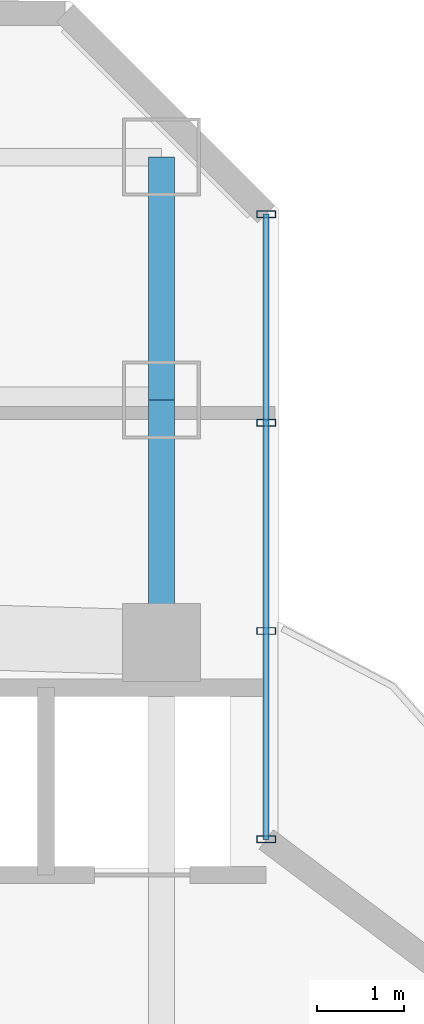
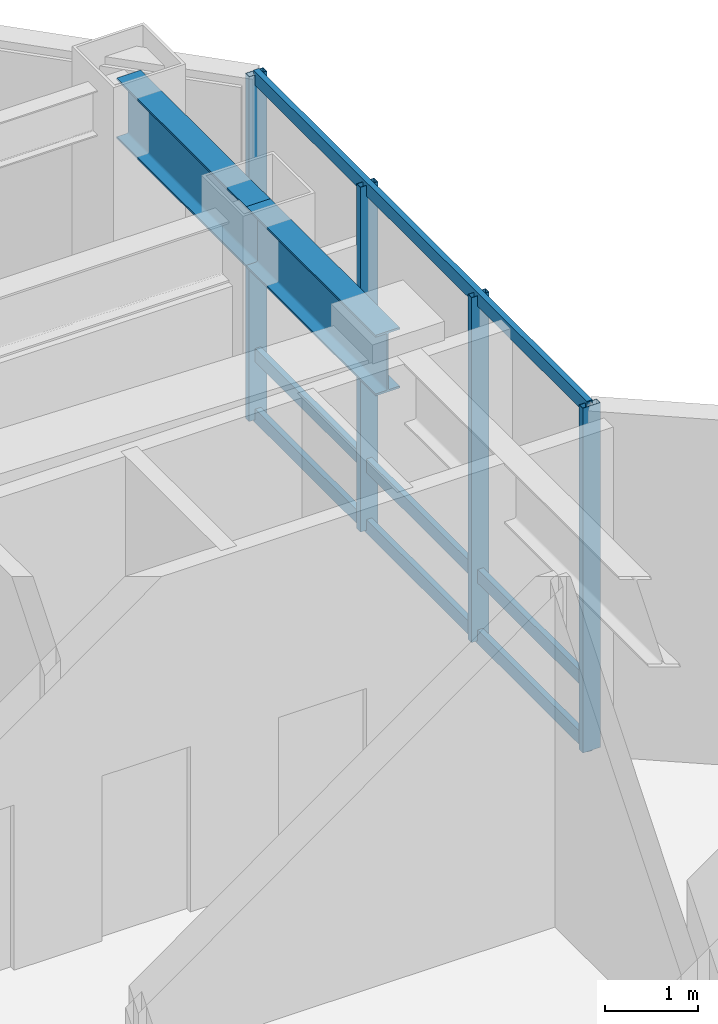
# One storey, part 17 of 27: 7 members, 2 beams, 1 element without a shape of its own.
"""IFC4 building model written with IfcOpenShell, lengths in metres."""

from ifc_helpers import new_model, si_unit, direction, frame, origin, origin_2d, place, context, subcontext, project, spatial, hollow_rectangle, i_section, extrude, material, layer, layer_set, material_profile, profile_set, type_object, element, aggregate, save


model = new_model("IFC4")

# Units and contexts
model_context = context("Model", 3, precision=1e-05, world=origin(), true_north=direction((0.0, 1.0)))
body_context = subcontext(model_context, "Body", "Model", "MODEL_VIEW")
ifc_project = project(units=[si_unit("LENGTHUNIT", "METRE"), si_unit("AREAUNIT", "SQUARE_METRE"), si_unit("VOLUMEUNIT", "CUBIC_METRE"), si_unit("PLANEANGLEUNIT", "RADIAN"), si_unit("MASSUNIT", "GRAM", prefix="KILO")], contexts=[model_context])

# Site, building, storey
site_placement = place(None, origin())
site = spatial("IfcSite", under=ifc_project, at=site_placement, CompositionType="ELEMENT")
building_placement = place(site_placement, origin())
building = spatial("IfcBuilding", under=site, at=building_placement, Name="Hatsunagi Terrace Concourse", CompositionType="ELEMENT")
storey_placement = place(building_placement, frame((0.0, 0.0, 96.449951171875)))
storey = spatial("IfcBuildingStorey", under=building, at=storey_placement, Name="L25", CompositionType="ELEMENT", Elevation=96.449951171875)

# Curtain wall, members
ifc_material_1 = material(Name="Anodised Aluminium Alloy 6063-T5", Category="aluminium")
ifc_layer = layer(ifc_material_1, 0.199951171875)
ifc_layer_set = layer_set([ifc_layer], Name="SkyLobbyAtrium_CW05")
curtain_wall_type = type_object("IfcCurtainWallType", Name="SkyLobbyAtrium_CW05", PredefinedType="NOTDEFINED", material=ifc_layer_set)
curtain_wall_placement = place(storey_placement, origin())
curtain_wall = element("IfcCurtainWall", 1, at=curtain_wall_placement, inside=storey, type_object=curtain_wall_type, Name="Unitised Curtain Wall CW-05 CW-L25-13", PredefinedType="NOTDEFINED")
ifc_material_2 = material(Name="Anodised Aluminium Alloy 6063-T5", Category="aluminium")
ifc_material_profile_1 = material_profile(ifc_material_2, hollow_rectangle(XDim=0.080078125, YDim=0.219970703125, WallThickness=0.0048828125, at=origin_2d()), Name="ALU-MUL-220x80x5")
ifc_profile_set_1 = profile_set([ifc_material_profile_1], Name="Anodised Aluminium Alloy 6063-T5")
member_type_1 = type_object("IfcMemberType", Name="CurtainWallMullion_Heavy_220x80", PredefinedType="MULLION", material=ifc_profile_set_1)
member_1_placement = place(storey_placement, frame((44.860107421875, 47.94189453125, 0.0), z_axis=(0.0, 0.0, 1.0), x_axis=(0.0, -1.0, 0.0)))
member_1 = element("IfcMember", 2, at=member_1_placement, type_object=member_type_1, Name="Curtain Wall Mullion MUL-01", PredefinedType="MULLION", context=body_context, shape_type="SweptSolid", body=[
    extrude(hollow_rectangle(XDim=0.080078125, YDim=0.219970703125, WallThickness=0.0048828125, at=origin_2d()), origin(), (0.0, 0.0, 1.0), 4.550048828125),
])
member_2_placement = place(storey_placement, frame((44.860107421875, 45.5380859375, 0.0), z_axis=(0.0, 0.0, 1.0), x_axis=(0.0, -1.0, 0.0)))
member_2 = element("IfcMember", 3, at=member_2_placement, type_object=member_type_1, Name="Curtain Wall Mullion MUL-01", PredefinedType="MULLION", context=body_context, shape_type="SweptSolid", body=[
    extrude(hollow_rectangle(XDim=0.080078125, YDim=0.219970703125, WallThickness=0.0048828125, at=origin_2d()), origin(), (0.0, 0.0, 1.0), 4.550048828125),
])
member_3_placement = place(storey_placement, frame((44.860107421875, 43.134033203125, 0.0), z_axis=(0.0, 0.0, 1.0), x_axis=(0.0, -1.0, 0.0)))
member_3 = element("IfcMember", 4, at=member_3_placement, type_object=member_type_1, Name="Curtain Wall Mullion MUL-01", PredefinedType="MULLION", context=body_context, shape_type="SweptSolid", body=[
    extrude(hollow_rectangle(XDim=0.080078125, YDim=0.219970703125, WallThickness=0.0048828125, at=origin_2d()), origin(), (0.0, 0.0, 1.0), 4.550048828125),
])
member_4_placement = place(storey_placement, frame((44.860107421875, 40.72998046875, 0.0), z_axis=(0.0, 0.0, 1.0), x_axis=(0.0, -1.0, 0.0)))
member_4 = element("IfcMember", 5, at=member_4_placement, type_object=member_type_1, Name="Curtain Wall Mullion MUL-01", PredefinedType="MULLION", context=body_context, shape_type="SweptSolid", body=[
    extrude(hollow_rectangle(XDim=0.080078125, YDim=0.219970703125, WallThickness=0.0048828125, at=origin_2d()), origin(), (0.0, 0.0, 1.0), 4.550048828125),
])
ifc_material_3 = material(Name="Anodised Aluminium Alloy 6063-T5", Category="aluminium")
ifc_material_profile_2 = material_profile(ifc_material_3, hollow_rectangle(XDim=0.070068359375, YDim=0.179931640625, WallThickness=0.00390625, at=origin_2d()), Name="ALU-TRN-180x70x4")
ifc_profile_set_2 = profile_set([ifc_material_profile_2], Name="Anodised Aluminium Alloy 6063-T5")
member_type_2 = type_object("IfcMemberType", Name="CurtainWallTransom_Heavy_180x70", PredefinedType="USERDEFINED", material=ifc_profile_set_2)
member_5_placement = place(storey_placement, frame((44.860107421875, 47.94189453125, 0.050048828125), z_axis=(0.0, -1.0, 0.0), x_axis=(1.0, 0.0, 0.0)))
member_5 = element("IfcMember", 6, at=member_5_placement, type_object=member_type_2, Name="Curtain Wall Transom TRN-01", ObjectType="TRANSOM", PredefinedType="USERDEFINED", context=body_context, shape_type="SweptSolid", body=[
    extrude(hollow_rectangle(XDim=0.070068359375, YDim=0.179931640625, WallThickness=0.00390625, at=origin_2d()), origin(), (0.0, 0.0, 1.0), 7.2119140625),
])
member_6_placement = place(storey_placement, frame((44.860107421875, 47.94189453125, 0.85009765625), z_axis=(0.0, -1.0, 0.0), x_axis=(1.0, 0.0, 0.0)))
member_6 = element("IfcMember", 7, at=member_6_placement, type_object=member_type_2, Name="Curtain Wall Transom TRN-01", ObjectType="TRANSOM", PredefinedType="USERDEFINED", context=body_context, shape_type="SweptSolid", body=[
    extrude(hollow_rectangle(XDim=0.070068359375, YDim=0.179931640625, WallThickness=0.00390625, at=origin_2d()), origin(), (0.0, 0.0, 1.0), 7.2119140625),
])
member_7_placement = place(storey_placement, frame((44.860107421875, 47.94189453125, 4.5), z_axis=(0.0, -1.0, 0.0), x_axis=(1.0, 0.0, 0.0)))
member_7 = element("IfcMember", 8, at=member_7_placement, type_object=member_type_2, Name="Curtain Wall Transom TRN-01", ObjectType="TRANSOM", PredefinedType="USERDEFINED", context=body_context, shape_type="SweptSolid", body=[
    extrude(hollow_rectangle(XDim=0.070068359375, YDim=0.179931640625, WallThickness=0.00390625, at=origin_2d()), origin(), (0.0, 0.0, 1.0), 7.2119140625),
])
aggregate(curtain_wall, [member_1, member_2, member_3, member_4, member_5, member_6, member_7])

# Beams
ifc_material_4 = material(Name="Steel SN490B", Category="steel")
ifc_material_profile_3 = material_profile(ifc_material_4, i_section(OverallWidth=0.300048828125, OverallDepth=0.800048828125, WebThickness=0.013916015625, FlangeThickness=0.02587890625, FilletRadius=0.02197265625, at=origin_2d()), Name="H-800x300x14x26")
ifc_profile_set_3 = profile_set([ifc_material_profile_3], Name="Steel SN490B")
beam_type = type_object("IfcBeamType", Name="SkyLobbyGirder_H_800x300", PredefinedType="BEAM", material=ifc_profile_set_3)
for number, where, z_axis, x_axis, name in (
    (9, (43.64990234375, 43.0, 4.150146484375), (0.0, 1.0, 0.0), (-1.0, 0.0, 0.0), "Beam G-03 BM-L25-CN3"),
    (10, (43.64990234375, 45.800048828125, 4.150146484375), (0.0, 1.0, 0.0), (-1.0, 0.0, 0.0), "Beam G-03 BM-L25-KN-WN6"),
):
    element("IfcBeam", number, at=place(storey_placement, frame(where, z_axis=z_axis, x_axis=x_axis)), inside=storey, type_object=beam_type, Name=name, PredefinedType="BEAM", context=body_context, shape_type="SweptSolid", body=[
        extrude(i_section(OverallWidth=0.300048828125, OverallDepth=0.800048828125, WebThickness=0.013916015625, FlangeThickness=0.02587890625, FilletRadius=0.02197265625, at=origin_2d()), origin(), (0.0, 0.0, 1.0), 2.800048828125),
    ])

save(model, "model.ifc")
